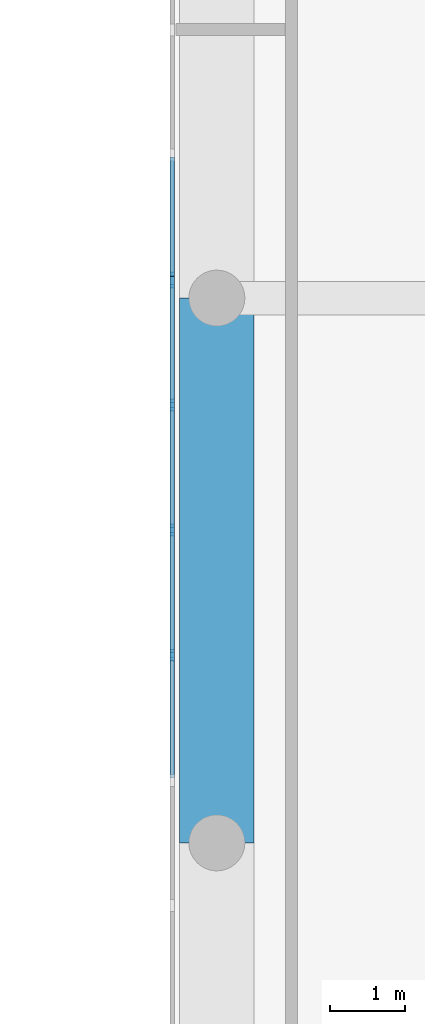
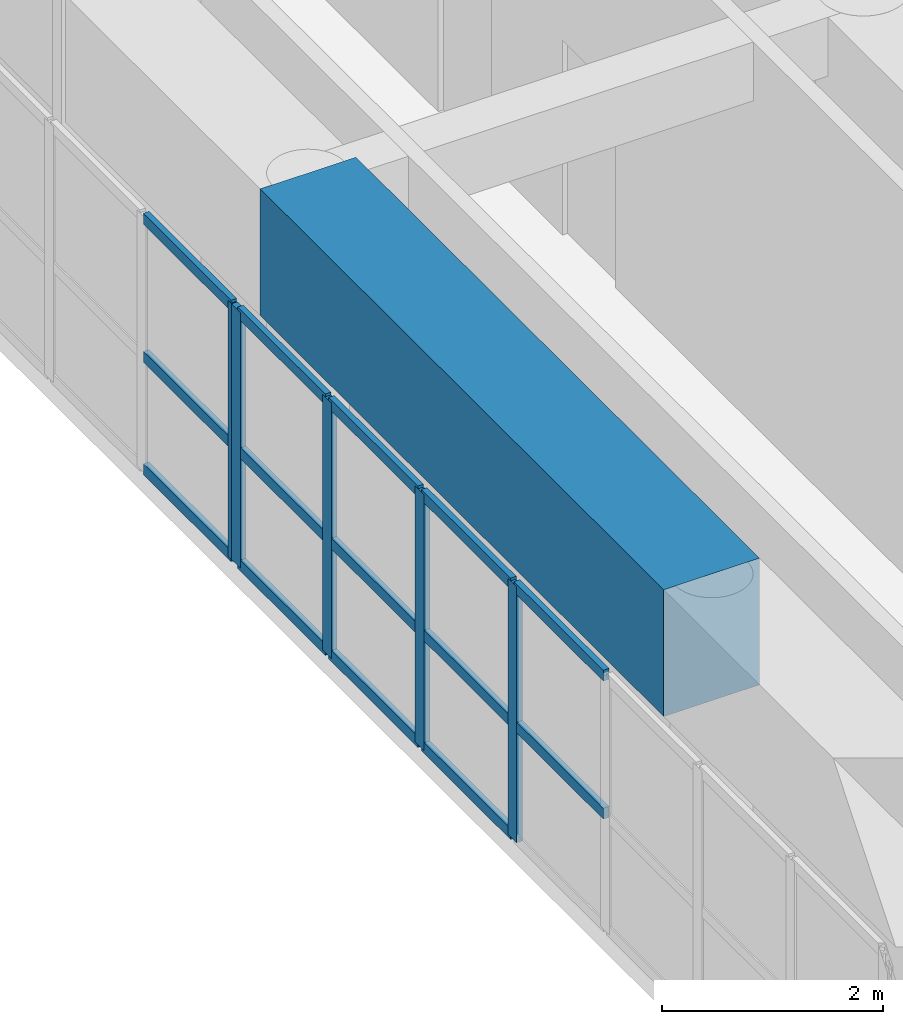
# One storey, part 5 of 22: 19 members, 1 beam, 2 elements without a shape of their own.
"""IFC4 building model written with IfcOpenShell, lengths in metres."""

from ifc_helpers import new_model, si_unit, direction, frame, origin, origin_with_axes, origin_2d, place, context, subcontext, project, spatial, rectangle, extrude, source, transform, mapped, material, layer, layer_set, material_profile, profile_set, type_object, element, aggregate, save


model = new_model("IFC4")

# Units and contexts
model_context = context("Model", 3, precision=1e-05, world=origin(), true_north=direction((0.0, 1.0)))
body_context = subcontext(model_context, "Body", "Model", "MODEL_VIEW")
ifc_project = project(units=[si_unit("LENGTHUNIT", "METRE"), si_unit("AREAUNIT", "SQUARE_METRE"), si_unit("VOLUMEUNIT", "CUBIC_METRE"), si_unit("PLANEANGLEUNIT", "RADIAN"), si_unit("MASSUNIT", "GRAM", prefix="KILO")], contexts=[model_context])

# Site, building, storey
site_placement = place(None, origin())
site = spatial("IfcSite", under=ifc_project, at=site_placement, CompositionType="ELEMENT")
building_placement = place(site_placement, origin())
building = spatial("IfcBuilding", under=site, at=building_placement, Name="Karkom Vertical University and Central Library", CompositionType="ELEMENT")
storey_placement = place(building_placement, frame((0.0, 0.0, 18.0)))
storey = spatial("IfcBuildingStorey", under=building, at=storey_placement, Name="L04", CompositionType="ELEMENT", Elevation=18.0)

# Beam
ifc_material_1 = material(Name="Concrete C50/60", Category="concrete")
ifc_material_profile_1 = material_profile(ifc_material_1, rectangle(XDim=1.0, YDim=1.39990234375, at=origin_2d()), Name="TG-1000x1400")
ifc_profile_set_1 = profile_set([ifc_material_profile_1], Name="Concrete C50/60")
beam_type = type_object("IfcBeamType", Name="STR-BM-TG-2", PredefinedType="USERDEFINED", material=ifc_profile_set_1)
shared_shape_1 = source(origin_with_axes(), body_context, "Body", "SweptSolid", [
    extrude(rectangle(XDim=1.0, YDim=1.39990234375, at=origin_2d()), origin(), (0.0, 0.0, 1.0), 7.300048828125),
])
beam_placement = place(storey_placement, frame((69.60009765625, 26.5, 3.52490234375), z_axis=(0.0, 1.0, 0.0), x_axis=(-1.0, 0.0, 0.0)))
element("IfcBeam", 1, at=beam_placement, inside=storey, type_object=beam_type, Name="Level 04 Library Vault Transfer Eave Girder 1.4", ObjectType="GIRDER", PredefinedType="USERDEFINED", context=body_context, shape_type="MappedRepresentation", body=[
    mapped(shared_shape_1, transform((0.0, 0.0, 0.0), scale=1.0)),
])

# Curtain wall, member
ifc_material_2 = material(Name="Aluminium curtain-wall framing and low-E IGU", Category="aluminium")
ifc_layer = layer(ifc_material_2, 0.199951171875)
ifc_layer_set = layer_set([ifc_layer], Name="Aluminium curtain-wall framing and low-E IGU")
curtain_wall_type = type_object("IfcCurtainWallType", Name="ENV-CW-2", PredefinedType="USERDEFINED", material=ifc_layer_set)
curtain_wall_1_placement = place(storey_placement, origin())
curtain_wall_1 = element("IfcCurtainWall", 2, at=curtain_wall_1_placement, inside=storey, type_object=curtain_wall_type, Name="Level 04 CW-2 Curtain Wall Level 04-CW2-7-1", ObjectType="STICK MULLION GLAZING", PredefinedType="USERDEFINED")
ifc_material_3 = material(Name="Anodised Aluminium 6063-T6", Category="aluminium")
ifc_material_profile_2 = material_profile(ifc_material_3, rectangle(XDim=0.06005859375, YDim=0.159912109375, at=origin_2d()), Name="ALU-M60x160")
ifc_profile_set_2 = profile_set([ifc_material_profile_2], Name="Anodised Aluminium 6063-T6")
member_type_1 = type_object("IfcMemberType", Name="ENV-MEM-ALU-M60x160", PredefinedType="MULLION", material=ifc_profile_set_2)
shared_shape_2 = source(origin_with_axes(), body_context, "Body", "SweptSolid", [
    extrude(rectangle(XDim=0.06005859375, YDim=0.159912109375, at=origin_2d()), origin(), (0.0, 0.0, 1.0), 2.824951171875),
])
member_1_placement = place(storey_placement, frame((69.0, 34.0732421875, 0.0), z_axis=(0.0, 0.0, 1.0), x_axis=(1.0, 0.0, 0.0)))
member_1 = element("IfcMember", 3, at=member_1_placement, type_object=member_type_1, Name="CW-2 mullion 10", PredefinedType="MULLION", context=body_context, shape_type="MappedRepresentation", body=[
    mapped(shared_shape_2, transform((0.0, 0.0, 0.0), scale=1.0)),
])

# Curtain wall, members
curtain_wall_2_placement = place(storey_placement, origin())
curtain_wall_2 = element("IfcCurtainWall", 4, at=curtain_wall_2_placement, inside=storey, type_object=curtain_wall_type, Name="Level 04 CW-2 Curtain Wall Level 04-CW2-7-2", ObjectType="STICK MULLION GLAZING", PredefinedType="USERDEFINED")
member_2_placement = place(storey_placement, frame((69.0, 34.01318359375, 0.0), z_axis=(0.0, 0.0, 1.0), x_axis=(1.0, 0.0, 0.0)))
member_2 = element("IfcMember", 5, at=member_2_placement, type_object=member_type_1, Name="CW-2 mullion 1", PredefinedType="MULLION", context=body_context, shape_type="MappedRepresentation", body=[
    mapped(shared_shape_2, transform((0.0, 0.0, 0.0), scale=1.0)),
])
member_3_placement = place(storey_placement, frame((69.0, 32.366943359375, 0.0), z_axis=(0.0, 0.0, 1.0), x_axis=(1.0, 0.0, 0.0)))
member_3 = element("IfcMember", 6, at=member_3_placement, type_object=member_type_1, Name="CW-2 mullion 2", PredefinedType="MULLION", context=body_context, shape_type="MappedRepresentation", body=[
    mapped(shared_shape_2, transform((0.0, 0.0, 0.0), scale=1.0)),
])
member_4_placement = place(storey_placement, frame((69.0, 30.690673828125, 0.0), z_axis=(0.0, 0.0, 1.0), x_axis=(1.0, 0.0, 0.0)))
member_4 = element("IfcMember", 7, at=member_4_placement, type_object=member_type_1, Name="CW-2 mullion 3", PredefinedType="MULLION", context=body_context, shape_type="MappedRepresentation", body=[
    mapped(shared_shape_2, transform((0.0, 0.0, 0.0), scale=1.0)),
])
member_5_placement = place(storey_placement, frame((69.0, 29.014404296875, 0.0), z_axis=(0.0, 0.0, 1.0), x_axis=(1.0, 0.0, 0.0)))
member_5 = element("IfcMember", 8, at=member_5_placement, type_object=member_type_1, Name="CW-2 mullion 4", PredefinedType="MULLION", context=body_context, shape_type="MappedRepresentation", body=[
    mapped(shared_shape_2, transform((0.0, 0.0, 0.0), scale=1.0)),
])

# Member
ifc_material_profile_3 = material_profile(ifc_material_3, rectangle(XDim=0.06005859375, YDim=0.1201171875, at=origin_2d()), Name="ALU-T60x120")
ifc_profile_set_3 = profile_set([ifc_material_profile_3], Name="Anodised Aluminium 6063-T6")
member_type_2 = type_object("IfcMemberType", Name="ENV-MEM-ALU-T60x120", PredefinedType="USERDEFINED", material=ifc_profile_set_3)
shared_shape_3 = source(origin_with_axes(), body_context, "Body", "SweptSolid", [
    extrude(rectangle(XDim=0.06005859375, YDim=0.1201171875, at=origin_2d()), origin(), (0.0, 0.0, 1.0), 1.58642578125),
])
member_6_placement = place(storey_placement, frame((69.0, 35.689697265625, 0.030029296875), z_axis=(0.0, -1.0, 0.0), x_axis=(1.0, 0.0, 0.0)))
member_6 = element("IfcMember", 9, at=member_6_placement, type_object=member_type_2, Name="CW-2 transom 9.1", ObjectType="TRANSOM", PredefinedType="USERDEFINED", context=body_context, shape_type="MappedRepresentation", body=[
    mapped(shared_shape_3, transform((0.0, 0.0, 0.0), scale=1.0)),
])

member_7_placement = place(storey_placement, frame((69.0, 35.689697265625, 1.271240234375), z_axis=(0.0, -1.0, 0.0), x_axis=(1.0, 0.0, 0.0)))
member_7 = element("IfcMember", 10, at=member_7_placement, type_object=member_type_2, Name="CW-2 transom 9.2", ObjectType="TRANSOM", PredefinedType="USERDEFINED", context=body_context, shape_type="MappedRepresentation", body=[
    mapped(shared_shape_3, transform((0.0, 0.0, 0.0), scale=1.0)),
])

member_8_placement = place(storey_placement, frame((69.0, 35.689697265625, 2.794921875), z_axis=(0.0, -1.0, 0.0), x_axis=(1.0, 0.0, 0.0)))
member_8 = element("IfcMember", 11, at=member_8_placement, type_object=member_type_2, Name="CW-2 transom 9.3", ObjectType="TRANSOM", PredefinedType="USERDEFINED", context=body_context, shape_type="MappedRepresentation", body=[
    mapped(shared_shape_3, transform((0.0, 0.0, 0.0), scale=1.0)),
])

aggregate(curtain_wall_1, [member_1, member_6, member_7, member_8])

member_9_placement = place(storey_placement, frame((69.0, 33.9833984375, 0.030029296875), z_axis=(0.0, -1.0, 0.0), x_axis=(1.0, 0.0, 0.0)))
member_9 = element("IfcMember", 12, at=member_9_placement, type_object=member_type_2, Name="CW-2 transom 1.1", ObjectType="TRANSOM", PredefinedType="USERDEFINED", context=body_context, shape_type="MappedRepresentation", body=[
    mapped(shared_shape_3, transform((0.0, 0.0, 0.0), scale=1.0)),
])

member_10_placement = place(storey_placement, frame((69.0, 33.9833984375, 1.271240234375), z_axis=(0.0, -1.0, 0.0), x_axis=(1.0, 0.0, 0.0)))
member_10 = element("IfcMember", 13, at=member_10_placement, type_object=member_type_2, Name="CW-2 transom 1.2", ObjectType="TRANSOM", PredefinedType="USERDEFINED", context=body_context, shape_type="MappedRepresentation", body=[
    mapped(shared_shape_3, transform((0.0, 0.0, 0.0), scale=1.0)),
])

member_11_placement = place(storey_placement, frame((69.0, 33.9833984375, 2.794921875), z_axis=(0.0, -1.0, 0.0), x_axis=(1.0, 0.0, 0.0)))
member_11 = element("IfcMember", 14, at=member_11_placement, type_object=member_type_2, Name="CW-2 transom 1.3", ObjectType="TRANSOM", PredefinedType="USERDEFINED", context=body_context, shape_type="MappedRepresentation", body=[
    mapped(shared_shape_3, transform((0.0, 0.0, 0.0), scale=1.0)),
])

shared_shape_4 = source(origin_with_axes(), body_context, "Body", "SweptSolid", [
    extrude(rectangle(XDim=0.06005859375, YDim=0.1201171875, at=origin_2d()), origin(), (0.0, 0.0, 1.0), 1.6162109375),
])
member_12_placement = place(storey_placement, frame((69.0, 32.3369140625, 0.030029296875), z_axis=(0.0, -1.0, 0.0), x_axis=(1.0, 0.0, 0.0)))
member_12 = element("IfcMember", 15, at=member_12_placement, type_object=member_type_2, Name="CW-2 transom 2.1", ObjectType="TRANSOM", PredefinedType="USERDEFINED", context=body_context, shape_type="MappedRepresentation", body=[
    mapped(shared_shape_4, transform((0.0, 0.0, 0.0), scale=1.0)),
])

member_13_placement = place(storey_placement, frame((69.0, 32.3369140625, 1.271240234375), z_axis=(0.0, -1.0, 0.0), x_axis=(1.0, 0.0, 0.0)))
member_13 = element("IfcMember", 16, at=member_13_placement, type_object=member_type_2, Name="CW-2 transom 2.2", ObjectType="TRANSOM", PredefinedType="USERDEFINED", context=body_context, shape_type="MappedRepresentation", body=[
    mapped(shared_shape_4, transform((0.0, 0.0, 0.0), scale=1.0)),
])

member_14_placement = place(storey_placement, frame((69.0, 32.3369140625, 2.794921875), z_axis=(0.0, -1.0, 0.0), x_axis=(1.0, 0.0, 0.0)))
member_14 = element("IfcMember", 17, at=member_14_placement, type_object=member_type_2, Name="CW-2 transom 2.3", ObjectType="TRANSOM", PredefinedType="USERDEFINED", context=body_context, shape_type="MappedRepresentation", body=[
    mapped(shared_shape_4, transform((0.0, 0.0, 0.0), scale=1.0)),
])

member_15_placement = place(storey_placement, frame((69.0, 30.66064453125, 0.030029296875), z_axis=(0.0, -1.0, 0.0), x_axis=(1.0, 0.0, 0.0)))
member_15 = element("IfcMember", 18, at=member_15_placement, type_object=member_type_2, Name="CW-2 transom 3.1", ObjectType="TRANSOM", PredefinedType="USERDEFINED", context=body_context, shape_type="MappedRepresentation", body=[
    mapped(shared_shape_4, transform((0.0, 0.0, 0.0), scale=1.0)),
])

member_16_placement = place(storey_placement, frame((69.0, 30.66064453125, 1.271240234375), z_axis=(0.0, -1.0, 0.0), x_axis=(1.0, 0.0, 0.0)))
member_16 = element("IfcMember", 19, at=member_16_placement, type_object=member_type_2, Name="CW-2 transom 3.2", ObjectType="TRANSOM", PredefinedType="USERDEFINED", context=body_context, shape_type="MappedRepresentation", body=[
    mapped(shared_shape_4, transform((0.0, 0.0, 0.0), scale=1.0)),
])

member_17_placement = place(storey_placement, frame((69.0, 30.66064453125, 2.794921875), z_axis=(0.0, -1.0, 0.0), x_axis=(1.0, 0.0, 0.0)))
member_17 = element("IfcMember", 20, at=member_17_placement, type_object=member_type_2, Name="CW-2 transom 3.3", ObjectType="TRANSOM", PredefinedType="USERDEFINED", context=body_context, shape_type="MappedRepresentation", body=[
    mapped(shared_shape_4, transform((0.0, 0.0, 0.0), scale=1.0)),
])

member_18_placement = place(storey_placement, frame((69.0, 28.984375, 1.271240234375), z_axis=(0.0, -1.0, 0.0), x_axis=(1.0, 0.0, 0.0)))
member_18 = element("IfcMember", 21, at=member_18_placement, type_object=member_type_2, Name="CW-2 transom 4.2", ObjectType="TRANSOM", PredefinedType="USERDEFINED", context=body_context, shape_type="MappedRepresentation", body=[
    mapped(shared_shape_4, transform((0.0, 0.0, 0.0), scale=1.0)),
])

member_19_placement = place(storey_placement, frame((69.0, 28.984375, 2.794921875), z_axis=(0.0, -1.0, 0.0), x_axis=(1.0, 0.0, 0.0)))
member_19 = element("IfcMember", 22, at=member_19_placement, type_object=member_type_2, Name="CW-2 transom 4.3", ObjectType="TRANSOM", PredefinedType="USERDEFINED", context=body_context, shape_type="MappedRepresentation", body=[
    mapped(shared_shape_4, transform((0.0, 0.0, 0.0), scale=1.0)),
])

aggregate(curtain_wall_2, [member_2, member_3, member_4, member_5, member_9, member_10, member_11, member_12, member_13, member_14, member_15, member_16, member_17, member_18, member_19])

save(model, "model.ifc")
